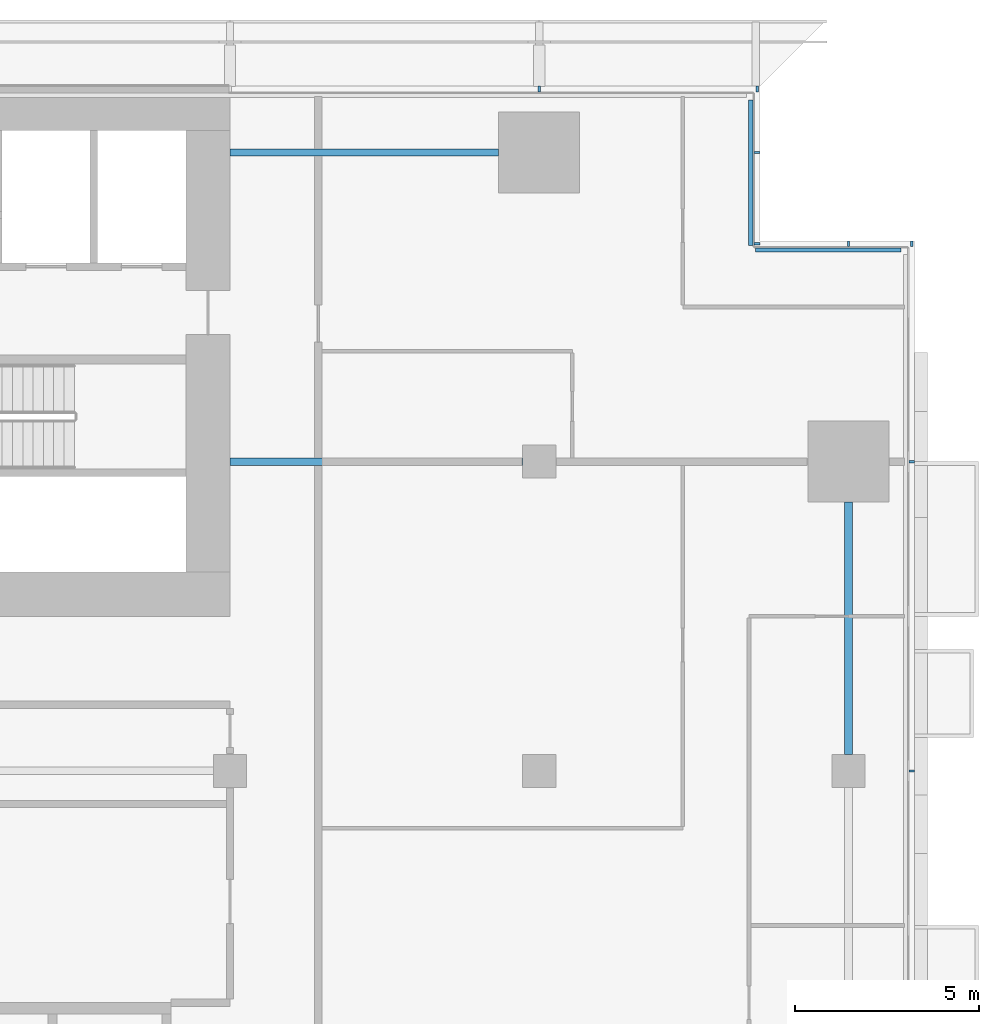
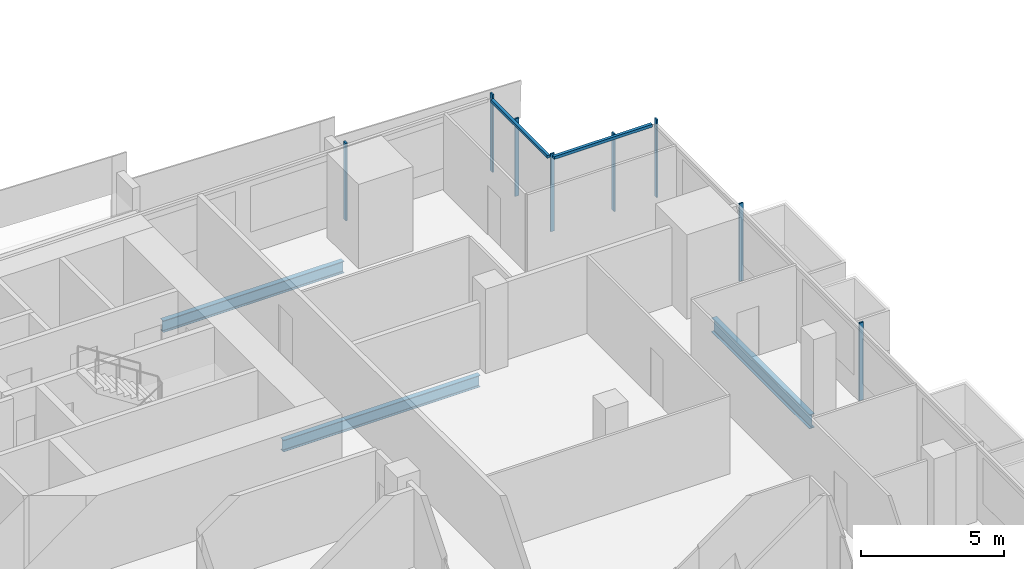
# One storey, part 13 of 30: 10 members, 3 beams, 4 elements without a shape of their own.
"""IFC4 building model written with IfcOpenShell, lengths in metres."""

from ifc_helpers import new_model, si_unit, direction, frame, origin, origin_2d, place, context, subcontext, project, spatial, rectangle, i_section, extrude, material, material_profile, profile_set, type_object, element, aggregate, save


model = new_model("IFC4")

# Units and contexts
model_context = context("Model", 3, precision=1e-05, world=origin(), true_north=direction((0.0, 1.0)))
body_context = subcontext(model_context, "Body", "Model", "MODEL_VIEW")
ifc_project = project(units=[si_unit("LENGTHUNIT", "METRE"), si_unit("AREAUNIT", "SQUARE_METRE"), si_unit("VOLUMEUNIT", "CUBIC_METRE"), si_unit("PLANEANGLEUNIT", "RADIAN"), si_unit("MASSUNIT", "GRAM", prefix="KILO")], contexts=[model_context])

# Site, building, storey
site_placement = place(None, origin())
site = spatial("IfcSite", under=ifc_project, at=site_placement, CompositionType="ELEMENT")
building_placement = place(site_placement, origin())
building = spatial("IfcBuilding", under=site, at=building_placement, Name="Saffron Gate Tower", CompositionType="ELEMENT")
storey_placement = place(building_placement, frame((0.0, 0.0, 37.199951171875)))
storey = spatial("IfcBuildingStorey", under=building, at=storey_placement, Name="L07", CompositionType="ELEMENT", Elevation=37.199951171875)

# Beams
ifc_material_1 = material(Name="Structural steel S355", Category="steel")
ifc_material_profile_1 = material_profile(ifc_material_1, i_section(OverallWidth=0.199951171875, OverallDepth=0.5, WebThickness=0.01025390625, FlangeThickness=0.01611328125, FilletRadius=0.02099609375, at=origin_2d()))
ifc_profile_set_1 = profile_set([ifc_material_profile_1], Name="Structural steel S355")
beam_type_1 = type_object("IfcBeamType", Name="B10 IPE 500", PredefinedType="BEAM", material=ifc_profile_set_1)
beam_1_placement = place(storey_placement, frame((116.550048828125, 65.39990234375, -0.530029296875), z_axis=(-1.0, 0.0, 0.0), x_axis=(0.0, -1.0, 0.0)))
element("IfcBeam", 1, at=beam_1_placement, inside=storey, type_object=beam_type_1, Name="B10 CORE TIE BEAM", PredefinedType="BEAM", context=body_context, shape_type="SweptSolid", body=[
    extrude(i_section(OverallWidth=0.199951171875, OverallDepth=0.5, WebThickness=0.01025390625, FlangeThickness=0.01611328125, FilletRadius=0.02099609375, at=origin_2d()), origin(), (0.0, 0.0, 1.0), 7.949951171875),
])
beam_2_placement = place(storey_placement, frame((115.89990234375, 73.800048828125, -0.530029296875), z_axis=(-1.0, 0.0, 0.0), x_axis=(0.0, -1.0, 0.0)))
element("IfcBeam", 2, at=beam_2_placement, inside=storey, type_object=beam_type_1, Name="B10 CORE TIE BEAM", PredefinedType="BEAM", context=body_context, shape_type="SweptSolid", body=[
    extrude(i_section(OverallWidth=0.199951171875, OverallDepth=0.5, WebThickness=0.01025390625, FlangeThickness=0.01611328125, FilletRadius=0.02099609375, at=origin_2d()), origin(), (0.0, 0.0, 1.0), 7.2998046875),
])
ifc_material_profile_2 = material_profile(ifc_material_1, i_section(OverallWidth=0.219970703125, OverallDepth=0.60009765625, WebThickness=0.011962890625, FlangeThickness=0.01904296875, FilletRadius=0.02392578125, at=origin_2d()))
ifc_profile_set_2 = profile_set([ifc_material_profile_2], Name="Structural steel S355")
beam_type_2 = type_object("IfcBeamType", Name="B16 IPE 600", PredefinedType="SPANDREL", material=ifc_profile_set_2)
beam_3_placement = place(storey_placement, frame((125.39990234375, 57.449951171875, -0.579833984375), z_axis=(0.0, 1.0, 0.0), x_axis=(-1.0, 0.0, 0.0)))
element("IfcBeam", 3, at=beam_3_placement, inside=storey, type_object=beam_type_2, Name="B16 SPANDREL BEAM", PredefinedType="SPANDREL", context=body_context, shape_type="SweptSolid", body=[
    extrude(i_section(OverallWidth=0.219970703125, OverallDepth=0.60009765625, WebThickness=0.011962890625, FlangeThickness=0.01904296875, FilletRadius=0.02392578125, at=origin_2d()), origin(), (0.0, 0.0, 1.0), 6.85009765625),
])

# Curtain wall, members
ifc_material_2 = material(Name="Aluminium, bronze anodised", Category="aluminium")
curtain_wall_type_1 = type_object("IfcCurtainWallType", Name="CWS2 curtain wall side facades", PredefinedType="NOTDEFINED", material=ifc_material_2)
curtain_wall_1_placement = place(storey_placement, origin())
curtain_wall_1 = element("IfcCurtainWall", 4, at=curtain_wall_1_placement, inside=storey, type_object=curtain_wall_type_1, Name="CWS2 run 4", PredefinedType="NOTDEFINED")
ifc_material_profile_3 = material_profile(ifc_material_2, rectangle(XDim=0.159912109375, YDim=0.06005859375, at=origin_2d()))
ifc_profile_set_3 = profile_set([ifc_material_profile_3], Name="Aluminium, bronze anodised")
member_type_1 = type_object("IfcMemberType", Name="CWS2 mullion 60x160", PredefinedType="MULLION", material=ifc_profile_set_3)
member_1_placement = place(storey_placement, frame((127.1201171875, 57.0, 0.0), z_axis=(0.0, 0.0, 1.0), x_axis=(-1.0, 0.0, 0.0)))
member_1 = element("IfcMember", 5, at=member_1_placement, type_object=member_type_1, Name="CWS2 mullion 4", PredefinedType="MULLION", context=body_context, shape_type="SweptSolid", body=[
    extrude(rectangle(XDim=0.159912109375, YDim=0.06005859375, at=origin_2d()), origin(), (0.0, 0.0, 1.0), 3.320068359375),
])
member_2_placement = place(storey_placement, frame((127.1201171875, 65.39990234375, 0.0), z_axis=(0.0, 0.0, 1.0), x_axis=(-1.0, 0.0, 0.0)))
member_2 = element("IfcMember", 6, at=member_2_placement, type_object=member_type_1, Name="CWS2 mullion 5", PredefinedType="MULLION", context=body_context, shape_type="SweptSolid", body=[
    extrude(rectangle(XDim=0.159912109375, YDim=0.06005859375, at=origin_2d()), origin(), (0.0, 0.0, 1.0), 3.320068359375),
])
aggregate(curtain_wall_1, [member_1, member_2])

curtain_wall_type_2 = type_object("IfcCurtainWallType", Name="CWS3 curtain wall rear facade", PredefinedType="NOTDEFINED", material=ifc_material_2)
curtain_wall_2_placement = place(storey_placement, origin())
curtain_wall_2 = element("IfcCurtainWall", 7, at=curtain_wall_2_placement, inside=storey, type_object=curtain_wall_type_2, Name="CWS3 run 7", PredefinedType="NOTDEFINED")
ifc_material_profile_4 = material_profile(ifc_material_2, rectangle(XDim=0.159912109375, YDim=0.070068359375, at=origin_2d()))
ifc_profile_set_4 = profile_set([ifc_material_profile_4], Name="Aluminium, bronze anodised")
member_type_2 = type_object("IfcMemberType", Name="CWS3 mullion 70x160", PredefinedType="MULLION", material=ifc_profile_set_4)
member_3_placement = place(storey_placement, frame((122.919921875, 75.52001953125, 0.0), z_axis=(0.0, 0.0, 1.0), x_axis=(0.0, -1.0, 0.0)))
member_3 = element("IfcMember", 8, at=member_3_placement, type_object=member_type_2, Name="CWS3 mullion 1", PredefinedType="MULLION", context=body_context, shape_type="SweptSolid", body=[
    extrude(rectangle(XDim=0.159912109375, YDim=0.070068359375, at=origin_2d()), origin(), (0.0, 0.0, 1.0), 3.320068359375),
])
member_4_placement = place(storey_placement, frame((117.0, 75.52001953125, 0.0), z_axis=(0.0, 0.0, 1.0), x_axis=(0.0, -1.0, 0.0)))
member_4 = element("IfcMember", 9, at=member_4_placement, type_object=member_type_2, Name="CWS3 mullion 2", PredefinedType="MULLION", context=body_context, shape_type="SweptSolid", body=[
    extrude(rectangle(XDim=0.159912109375, YDim=0.070068359375, at=origin_2d()), origin(), (0.0, 0.0, 1.0), 3.320068359375),
])
aggregate(curtain_wall_2, [member_3, member_4])

# Curtain wall, member
curtain_wall_type_3 = type_object("IfcCurtainWallType", Name="CWS4 curtain wall corner returns", PredefinedType="NOTDEFINED", material=ifc_material_2)
curtain_wall_3_placement = place(storey_placement, origin())
curtain_wall_3 = element("IfcCurtainWall", 10, at=curtain_wall_3_placement, inside=storey, type_object=curtain_wall_type_3, Name="CWS4 run 5", PredefinedType="NOTDEFINED")
ifc_material_profile_5 = material_profile(ifc_material_2, rectangle(XDim=0.1201171875, YDim=0.1201171875, at=origin_2d()))
ifc_profile_set_5 = profile_set([ifc_material_profile_5], Name="Aluminium, bronze anodised")
member_type_3 = type_object("IfcMemberType", Name="CWS4 head transom", PredefinedType="USERDEFINED", material=ifc_profile_set_5)
member_5_placement = place(storey_placement, frame((126.83203125, 71.152099609375, 3.260009765625), z_axis=(-1.0, 0.0, 0.0), x_axis=(0.0, -1.0, 0.0)))
member_5 = element("IfcMember", 11, at=member_5_placement, type_object=member_type_3, Name="CWS4 head transom", ObjectType="TRANSOM", PredefinedType="USERDEFINED", context=body_context, shape_type="SweptSolid", body=[
    extrude(rectangle(XDim=0.1201171875, YDim=0.1201171875, at=origin_2d()), origin(), (0.0, 0.0, 1.0), 3.9599609375),
])

curtain_wall_4_placement = place(storey_placement, origin())
curtain_wall_4 = element("IfcCurtainWall", 12, at=curtain_wall_4_placement, inside=storey, type_object=curtain_wall_type_3, Name="CWS4 run 6", PredefinedType="NOTDEFINED")
member_6_placement = place(storey_placement, frame((122.751953125, 71.27197265625, 3.260009765625), z_axis=(0.0, 1.0, 0.0), x_axis=(-1.0, 0.0, 0.0)))
member_6 = element("IfcMember", 13, at=member_6_placement, type_object=member_type_3, Name="CWS4 head transom", ObjectType="TRANSOM", PredefinedType="USERDEFINED", context=body_context, shape_type="SweptSolid", body=[
    extrude(rectangle(XDim=0.1201171875, YDim=0.1201171875, at=origin_2d()), origin(), (0.0, 0.0, 1.0), 3.9599609375),
])

# Member
ifc_material_profile_6 = material_profile(ifc_material_2, rectangle(XDim=0.159912109375, YDim=0.06005859375, at=origin_2d()))
ifc_profile_set_6 = profile_set([ifc_material_profile_6], Name="Aluminium, bronze anodised")
member_type_4 = type_object("IfcMemberType", Name="CWS4 mullion 60x160", PredefinedType="MULLION", material=ifc_profile_set_6)
member_7_placement = place(storey_placement, frame((127.1201171875, 71.320068359375, 0.0), z_axis=(0.0, 0.0, 1.0), x_axis=(0.0, -1.0, 0.0)))
member_7 = element("IfcMember", 14, at=member_7_placement, type_object=member_type_4, Name="CWS4 mullion 1", PredefinedType="MULLION", context=body_context, shape_type="SweptSolid", body=[
    extrude(rectangle(XDim=0.159912109375, YDim=0.06005859375, at=origin_2d()), origin(), (0.0, 0.0, 1.0), 3.320068359375),
])

member_8_placement = place(storey_placement, frame((125.39990234375, 71.320068359375, 0.0), z_axis=(0.0, 0.0, 1.0), x_axis=(0.0, -1.0, 0.0)))
member_8 = element("IfcMember", 15, at=member_8_placement, type_object=member_type_4, Name="CWS4 mullion 2", PredefinedType="MULLION", context=body_context, shape_type="SweptSolid", body=[
    extrude(rectangle(XDim=0.159912109375, YDim=0.06005859375, at=origin_2d()), origin(), (0.0, 0.0, 1.0), 3.320068359375),
])

aggregate(curtain_wall_3, [member_7, member_8, member_5])

member_9_placement = place(storey_placement, frame((122.919921875, 71.320068359375, 0.0), z_axis=(0.0, 0.0, 1.0), x_axis=(-1.0, 0.0, 0.0)))
member_9 = element("IfcMember", 16, at=member_9_placement, type_object=member_type_4, Name="CWS4 mullion 1", PredefinedType="MULLION", context=body_context, shape_type="SweptSolid", body=[
    extrude(rectangle(XDim=0.159912109375, YDim=0.06005859375, at=origin_2d()), origin(), (0.0, 0.0, 1.0), 3.320068359375),
])

member_10_placement = place(storey_placement, frame((122.919921875, 73.800048828125, 0.0), z_axis=(0.0, 0.0, 1.0), x_axis=(-1.0, 0.0, 0.0)))
member_10 = element("IfcMember", 17, at=member_10_placement, type_object=member_type_4, Name="CWS4 mullion 2", PredefinedType="MULLION", context=body_context, shape_type="SweptSolid", body=[
    extrude(rectangle(XDim=0.159912109375, YDim=0.06005859375, at=origin_2d()), origin(), (0.0, 0.0, 1.0), 3.320068359375),
])

aggregate(curtain_wall_4, [member_9, member_10, member_6])

save(model, "model.ifc")
